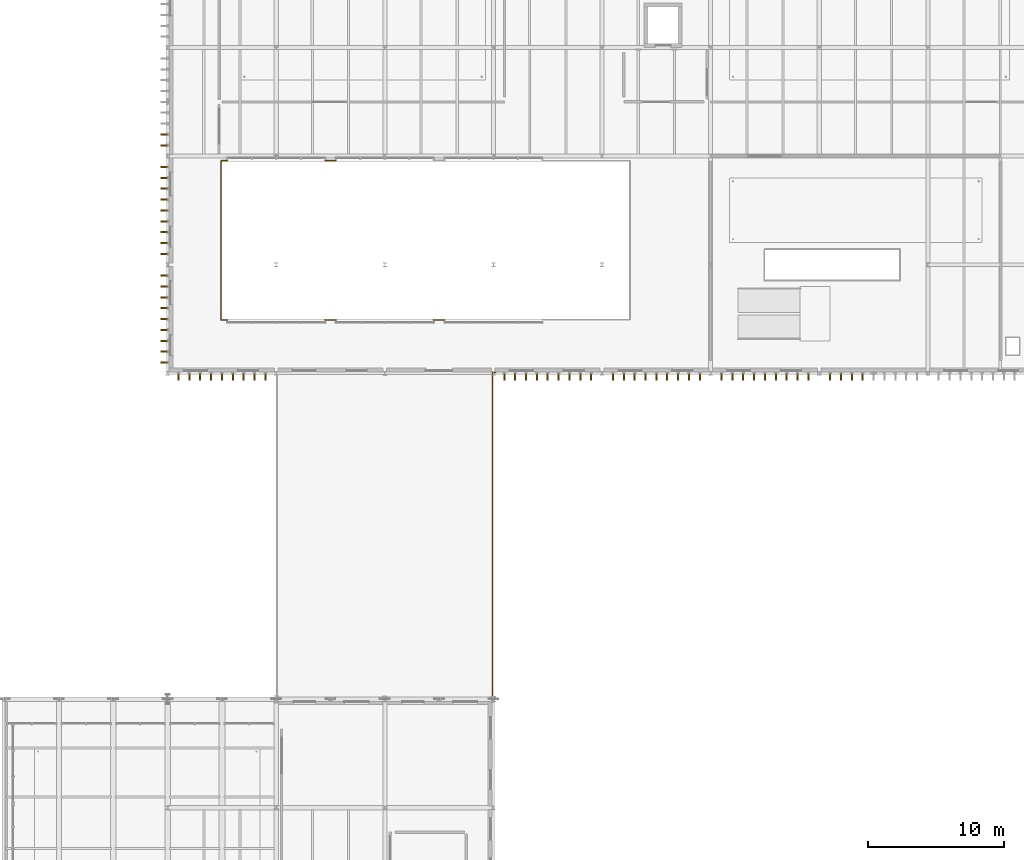
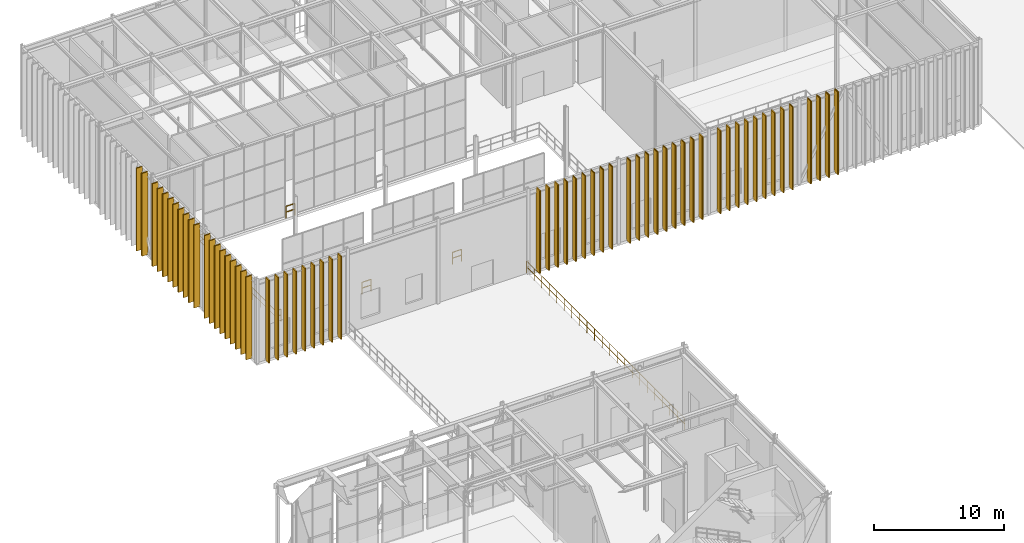
# One storey, part 130 of 138: 60 coverings, 60 shading devices, 6 railings.
"""IFC4 building model written with IfcOpenShell, lengths in metres."""

from ifc_helpers import new_model, si_unit, direction, frame, origin, origin_2d, place, context, subcontext, project, spatial, rectangle, circle, extrude, material, layer, layer_set, type_object, element, save


model = new_model("IFC4")

# Units and contexts
model_context = context("Model", 3, precision=1e-05, world=origin(), true_north=direction((0.0, 1.0)))
body_context = subcontext(model_context, "Body", "Model", "MODEL_VIEW")
ifc_project = project(units=[si_unit("LENGTHUNIT", "METRE"), si_unit("AREAUNIT", "SQUARE_METRE"), si_unit("VOLUMEUNIT", "CUBIC_METRE"), si_unit("PLANEANGLEUNIT", "RADIAN"), si_unit("MASSUNIT", "GRAM", prefix="KILO")], contexts=[model_context])

# Site, building, storey
site_placement = place(None, origin())
site = spatial("IfcSite", under=ifc_project, at=site_placement, CompositionType="ELEMENT")
building_placement = place(site_placement, origin())
building = spatial("IfcBuilding", under=site, at=building_placement, Name="Sundkrona Museum", CompositionType="ELEMENT")
storey_placement = place(building_placement, frame((0.0, 0.0, 9.60009765625)))
storey = spatial("IfcBuildingStorey", under=building, at=storey_placement, Name="L02", CompositionType="ELEMENT", Elevation=9.60009765625)

# Coverings
ifc_material_1 = material(Name="Frost-Resistant Vitrified Stoneware Mosaic Cladding", Category="masonry")
ifc_layer_1 = layer(ifc_material_1, 0.044921875)
ifc_layer_set_1 = layer_set([ifc_layer_1], Name="Frost-Resistant Vitrified Stoneware Mosaic Cladding")
covering_type = type_object("IfcCoveringType", Name="COV-CLD-MOS", PredefinedType="CLADDING", material=ifc_layer_set_1)
for number, where, z_axis, x_axis, name in (
    (1, (16.800048828125, 77.7451171875, 0.0), (0.0, 0.0, 1.0), (1.0, 0.0, 0.0), "L02 Vitrified Ceramic Brise-Soleil Casing S-055"),
    (2, (17.60009765625, 77.7451171875, 0.0), (0.0, 0.0, 1.0), (1.0, 0.0, 0.0), "L02 Vitrified Ceramic Brise-Soleil Casing S-056"),
    (3, (18.39990234375, 77.7451171875, 0.0), (0.0, 0.0, 1.0), (1.0, 0.0, 0.0), "L02 Vitrified Ceramic Brise-Soleil Casing S-057"),
    (4, (19.199951171875, 77.7451171875, 0.0), (0.0, 0.0, 1.0), (1.0, 0.0, 0.0), "L02 Vitrified Ceramic Brise-Soleil Casing S-058"),
    (5, (20.0, 77.7451171875, 0.0), (0.0, 0.0, 1.0), (1.0, 0.0, 0.0), "L02 Vitrified Ceramic Brise-Soleil Casing S-059"),
    (6, (20.800048828125, 77.7451171875, 0.0), (0.0, 0.0, 1.0), (1.0, 0.0, 0.0), "L02 Vitrified Ceramic Brise-Soleil Casing S-060"),
    (7, (21.60009765625, 77.7451171875, 0.0), (0.0, 0.0, 1.0), (1.0, 0.0, 0.0), "L02 Vitrified Ceramic Brise-Soleil Casing S-061"),
    (8, (22.39990234375, 77.7451171875, 0.0), (0.0, 0.0, 1.0), (1.0, 0.0, 0.0), "L02 Vitrified Ceramic Brise-Soleil Casing S-062"),
    (9, (23.199951171875, 77.7451171875, 0.0), (0.0, 0.0, 1.0), (1.0, 0.0, 0.0), "L02 Vitrified Ceramic Brise-Soleil Casing S-063"),
    (10, (40.800048828125, 77.7451171875, 0.0), (0.0, 0.0, 1.0), (1.0, 0.0, 0.0), "L02 Vitrified Ceramic Brise-Soleil Casing S-064"),
    (11, (41.60009765625, 77.7451171875, 0.0), (0.0, 0.0, 1.0), (1.0, 0.0, 0.0), "L02 Vitrified Ceramic Brise-Soleil Casing S-065"),
    (12, (42.39990234375, 77.7451171875, 0.0), (0.0, 0.0, 1.0), (1.0, 0.0, 0.0), "L02 Vitrified Ceramic Brise-Soleil Casing S-066"),
    (13, (43.199951171875, 77.7451171875, 0.0), (0.0, 0.0, 1.0), (1.0, 0.0, 0.0), "L02 Vitrified Ceramic Brise-Soleil Casing S-067"),
    (14, (44.0, 77.7451171875, 0.0), (0.0, 0.0, 1.0), (1.0, 0.0, 0.0), "L02 Vitrified Ceramic Brise-Soleil Casing S-068"),
    (15, (44.800048828125, 77.7451171875, 0.0), (0.0, 0.0, 1.0), (1.0, 0.0, 0.0), "L02 Vitrified Ceramic Brise-Soleil Casing S-069"),
    (16, (45.60009765625, 77.7451171875, 0.0), (0.0, 0.0, 1.0), (1.0, 0.0, 0.0), "L02 Vitrified Ceramic Brise-Soleil Casing S-070"),
    (17, (46.39990234375, 77.7451171875, 0.0), (0.0, 0.0, 1.0), (1.0, 0.0, 0.0), "L02 Vitrified Ceramic Brise-Soleil Casing S-071"),
    (18, (47.199951171875, 77.7451171875, 0.0), (0.0, 0.0, 1.0), (1.0, 0.0, 0.0), "L02 Vitrified Ceramic Brise-Soleil Casing S-072"),
    (19, (48.800048828125, 77.7451171875, 0.0), (0.0, 0.0, 1.0), (1.0, 0.0, 0.0), "L02 Vitrified Ceramic Brise-Soleil Casing S-073"),
    (20, (49.60009765625, 77.7451171875, 0.0), (0.0, 0.0, 1.0), (1.0, 0.0, 0.0), "L02 Vitrified Ceramic Brise-Soleil Casing S-074"),
    (21, (50.39990234375, 77.7451171875, 0.0), (0.0, 0.0, 1.0), (1.0, 0.0, 0.0), "L02 Vitrified Ceramic Brise-Soleil Casing S-075"),
    (22, (51.199951171875, 77.7451171875, 0.0), (0.0, 0.0, 1.0), (1.0, 0.0, 0.0), "L02 Vitrified Ceramic Brise-Soleil Casing S-076"),
    (23, (52.0, 77.7451171875, 0.0), (0.0, 0.0, 1.0), (1.0, 0.0, 0.0), "L02 Vitrified Ceramic Brise-Soleil Casing S-077"),
    (24, (52.800048828125, 77.7451171875, 0.0), (0.0, 0.0, 1.0), (1.0, 0.0, 0.0), "L02 Vitrified Ceramic Brise-Soleil Casing S-078"),
    (25, (53.60009765625, 77.7451171875, 0.0), (0.0, 0.0, 1.0), (1.0, 0.0, 0.0), "L02 Vitrified Ceramic Brise-Soleil Casing S-079"),
    (26, (54.39990234375, 77.7451171875, 0.0), (0.0, 0.0, 1.0), (1.0, 0.0, 0.0), "L02 Vitrified Ceramic Brise-Soleil Casing S-080"),
    (27, (55.199951171875, 77.7451171875, 0.0), (0.0, 0.0, 1.0), (1.0, 0.0, 0.0), "L02 Vitrified Ceramic Brise-Soleil Casing S-081"),
    (28, (56.800048828125, 77.7451171875, 0.0), (0.0, 0.0, 1.0), (1.0, 0.0, 0.0), "L02 Vitrified Ceramic Brise-Soleil Casing S-082"),
    (29, (57.60009765625, 77.7451171875, 0.0), (0.0, 0.0, 1.0), (1.0, 0.0, 0.0), "L02 Vitrified Ceramic Brise-Soleil Casing S-083"),
    (30, (58.39990234375, 77.7451171875, 0.0), (0.0, 0.0, 1.0), (1.0, 0.0, 0.0), "L02 Vitrified Ceramic Brise-Soleil Casing S-084"),
    (31, (59.199951171875, 77.7451171875, 0.0), (0.0, 0.0, 1.0), (1.0, 0.0, 0.0), "L02 Vitrified Ceramic Brise-Soleil Casing S-085"),
    (32, (60.0, 77.7451171875, 0.0), (0.0, 0.0, 1.0), (1.0, 0.0, 0.0), "L02 Vitrified Ceramic Brise-Soleil Casing S-086"),
    (33, (60.800048828125, 77.7451171875, 0.0), (0.0, 0.0, 1.0), (1.0, 0.0, 0.0), "L02 Vitrified Ceramic Brise-Soleil Casing S-087"),
    (34, (61.60009765625, 77.7451171875, 0.0), (0.0, 0.0, 1.0), (1.0, 0.0, 0.0), "L02 Vitrified Ceramic Brise-Soleil Casing S-088"),
    (35, (62.39990234375, 77.7451171875, 0.0), (0.0, 0.0, 1.0), (1.0, 0.0, 0.0), "L02 Vitrified Ceramic Brise-Soleil Casing S-089"),
    (36, (63.199951171875, 77.7451171875, 0.0), (0.0, 0.0, 1.0), (1.0, 0.0, 0.0), "L02 Vitrified Ceramic Brise-Soleil Casing S-090"),
    (37, (64.800048828125, 77.7451171875, 0.0), (0.0, 0.0, 1.0), (1.0, 0.0, 0.0), "L02 Vitrified Ceramic Brise-Soleil Casing S-091"),
    (38, (65.60009765625, 77.7451171875, 0.0), (0.0, 0.0, 1.0), (1.0, 0.0, 0.0), "L02 Vitrified Ceramic Brise-Soleil Casing S-092"),
    (39, (66.39990234375, 77.7451171875, 0.0), (0.0, 0.0, 1.0), (1.0, 0.0, 0.0), "L02 Vitrified Ceramic Brise-Soleil Casing S-093"),
    (40, (67.199951171875, 77.7451171875, 0.0), (0.0, 0.0, 1.0), (1.0, 0.0, 0.0), "L02 Vitrified Ceramic Brise-Soleil Casing S-094"),
):
    element("IfcCovering", number, at=place(storey_placement, frame(where, z_axis=z_axis, x_axis=x_axis)), inside=storey, type_object=covering_type, Name=name, PredefinedType="CLADDING", context=body_context, shape_type="SweptSolid", body=[
        extrude(rectangle(XDim=0.110107421875, YDim=0.530029296875, at=origin_2d()), origin(), (0.0, 0.0, 1.0), 7.760009765625),
    ])
for number, where, z_axis, x_axis, name in (
    (41, (15.7451171875, 78.800048828125, 0.0), (0.0, 0.0, 1.0), (1.0, 0.0, 0.0), "L02 Vitrified Ceramic Brise-Soleil Casing W-177"),
    (42, (15.7451171875, 79.60009765625, 0.0), (0.0, 0.0, 1.0), (1.0, 0.0, 0.0), "L02 Vitrified Ceramic Brise-Soleil Casing W-178"),
    (43, (15.7451171875, 80.39990234375, 0.0), (0.0, 0.0, 1.0), (1.0, 0.0, 0.0), "L02 Vitrified Ceramic Brise-Soleil Casing W-179"),
    (44, (15.7451171875, 81.199951171875, 0.0), (0.0, 0.0, 1.0), (1.0, 0.0, 0.0), "L02 Vitrified Ceramic Brise-Soleil Casing W-180"),
    (45, (15.7451171875, 82.0, 0.0), (0.0, 0.0, 1.0), (1.0, 0.0, 0.0), "L02 Vitrified Ceramic Brise-Soleil Casing W-181"),
    (46, (15.7451171875, 82.800048828125, 0.0), (0.0, 0.0, 1.0), (1.0, 0.0, 0.0), "L02 Vitrified Ceramic Brise-Soleil Casing W-182"),
    (47, (15.7451171875, 83.60009765625, 0.0), (0.0, 0.0, 1.0), (1.0, 0.0, 0.0), "L02 Vitrified Ceramic Brise-Soleil Casing W-183"),
    (48, (15.7451171875, 84.39990234375, 0.0), (0.0, 0.0, 1.0), (1.0, 0.0, 0.0), "L02 Vitrified Ceramic Brise-Soleil Casing W-184"),
    (49, (15.7451171875, 85.199951171875, 0.0), (0.0, 0.0, 1.0), (1.0, 0.0, 0.0), "L02 Vitrified Ceramic Brise-Soleil Casing W-185"),
    (50, (15.7451171875, 86.800048828125, 0.0), (0.0, 0.0, 1.0), (1.0, 0.0, 0.0), "L02 Vitrified Ceramic Brise-Soleil Casing W-186"),
    (51, (15.7451171875, 87.60009765625, 0.0), (0.0, 0.0, 1.0), (1.0, 0.0, 0.0), "L02 Vitrified Ceramic Brise-Soleil Casing W-187"),
    (52, (15.7451171875, 88.39990234375, 0.0), (0.0, 0.0, 1.0), (1.0, 0.0, 0.0), "L02 Vitrified Ceramic Brise-Soleil Casing W-188"),
    (53, (15.7451171875, 89.199951171875, 0.0), (0.0, 0.0, 1.0), (1.0, 0.0, 0.0), "L02 Vitrified Ceramic Brise-Soleil Casing W-189"),
    (54, (15.7451171875, 90.0, 0.0), (0.0, 0.0, 1.0), (1.0, 0.0, 0.0), "L02 Vitrified Ceramic Brise-Soleil Casing W-190"),
    (55, (15.7451171875, 90.800048828125, 0.0), (0.0, 0.0, 1.0), (1.0, 0.0, 0.0), "L02 Vitrified Ceramic Brise-Soleil Casing W-191"),
    (56, (15.7451171875, 91.60009765625, 0.0), (0.0, 0.0, 1.0), (1.0, 0.0, 0.0), "L02 Vitrified Ceramic Brise-Soleil Casing W-192"),
    (57, (15.7451171875, 92.39990234375, 0.0), (0.0, 0.0, 1.0), (1.0, 0.0, 0.0), "L02 Vitrified Ceramic Brise-Soleil Casing W-193"),
    (58, (15.7451171875, 93.199951171875, 0.0), (0.0, 0.0, 1.0), (1.0, 0.0, 0.0), "L02 Vitrified Ceramic Brise-Soleil Casing W-194"),
    (59, (15.7451171875, 94.800048828125, 0.0), (0.0, 0.0, 1.0), (1.0, 0.0, 0.0), "L02 Vitrified Ceramic Brise-Soleil Casing W-195"),
    (60, (15.7451171875, 95.60009765625, 0.0), (0.0, 0.0, 1.0), (1.0, 0.0, 0.0), "L02 Vitrified Ceramic Brise-Soleil Casing W-196"),
):
    element("IfcCovering", number, at=place(storey_placement, frame(where, z_axis=z_axis, x_axis=x_axis)), inside=storey, type_object=covering_type, Name=name, PredefinedType="CLADDING", context=body_context, shape_type="SweptSolid", body=[
        extrude(rectangle(XDim=0.530029296875, YDim=0.110107421875, at=origin_2d()), origin(), (0.0, 0.0, 1.0), 7.760009765625),
    ])

# Shading devices
ifc_material_2 = material(Name="Vitrified Stoneware Ceramic on Galvanised Steel Core", Category="masonry")
ifc_layer_2 = layer(ifc_material_2, 0.080078125)
ifc_layer_set_2 = layer_set([ifc_layer_2], Name="Vitrified Stoneware Ceramic on Galvanised Steel Core")
shading_device_type = type_object("IfcShadingDeviceType", Name="FIN-CER-520", PredefinedType="USERDEFINED", material=ifc_layer_set_2)
for number, where, z_axis, x_axis, name in (
    (61, (16.800048828125, 77.739990234375, 0.0), (0.0, 0.0, 1.0), (1.0, 0.0, 0.0), "L02 Ceramic Brise-Soleil Fin S-055"),
    (62, (17.60009765625, 77.739990234375, 0.0), (0.0, 0.0, 1.0), (1.0, 0.0, 0.0), "L02 Ceramic Brise-Soleil Fin S-056"),
    (63, (18.39990234375, 77.739990234375, 0.0), (0.0, 0.0, 1.0), (1.0, 0.0, 0.0), "L02 Ceramic Brise-Soleil Fin S-057"),
    (64, (19.199951171875, 77.739990234375, 0.0), (0.0, 0.0, 1.0), (1.0, 0.0, 0.0), "L02 Ceramic Brise-Soleil Fin S-058"),
    (65, (20.0, 77.739990234375, 0.0), (0.0, 0.0, 1.0), (1.0, 0.0, 0.0), "L02 Ceramic Brise-Soleil Fin S-059"),
    (66, (20.800048828125, 77.739990234375, 0.0), (0.0, 0.0, 1.0), (1.0, 0.0, 0.0), "L02 Ceramic Brise-Soleil Fin S-060"),
    (67, (21.60009765625, 77.739990234375, 0.0), (0.0, 0.0, 1.0), (1.0, 0.0, 0.0), "L02 Ceramic Brise-Soleil Fin S-061"),
    (68, (22.39990234375, 77.739990234375, 0.0), (0.0, 0.0, 1.0), (1.0, 0.0, 0.0), "L02 Ceramic Brise-Soleil Fin S-062"),
    (69, (23.199951171875, 77.739990234375, 0.0), (0.0, 0.0, 1.0), (1.0, 0.0, 0.0), "L02 Ceramic Brise-Soleil Fin S-063"),
    (70, (40.800048828125, 77.739990234375, 0.0), (0.0, 0.0, 1.0), (1.0, 0.0, 0.0), "L02 Ceramic Brise-Soleil Fin S-064"),
    (71, (41.60009765625, 77.739990234375, 0.0), (0.0, 0.0, 1.0), (1.0, 0.0, 0.0), "L02 Ceramic Brise-Soleil Fin S-065"),
    (72, (42.39990234375, 77.739990234375, 0.0), (0.0, 0.0, 1.0), (1.0, 0.0, 0.0), "L02 Ceramic Brise-Soleil Fin S-066"),
    (73, (43.199951171875, 77.739990234375, 0.0), (0.0, 0.0, 1.0), (1.0, 0.0, 0.0), "L02 Ceramic Brise-Soleil Fin S-067"),
    (74, (44.0, 77.739990234375, 0.0), (0.0, 0.0, 1.0), (1.0, 0.0, 0.0), "L02 Ceramic Brise-Soleil Fin S-068"),
    (75, (44.800048828125, 77.739990234375, 0.0), (0.0, 0.0, 1.0), (1.0, 0.0, 0.0), "L02 Ceramic Brise-Soleil Fin S-069"),
    (76, (45.60009765625, 77.739990234375, 0.0), (0.0, 0.0, 1.0), (1.0, 0.0, 0.0), "L02 Ceramic Brise-Soleil Fin S-070"),
    (77, (46.39990234375, 77.739990234375, 0.0), (0.0, 0.0, 1.0), (1.0, 0.0, 0.0), "L02 Ceramic Brise-Soleil Fin S-071"),
    (78, (47.199951171875, 77.739990234375, 0.0), (0.0, 0.0, 1.0), (1.0, 0.0, 0.0), "L02 Ceramic Brise-Soleil Fin S-072"),
    (79, (48.800048828125, 77.739990234375, 0.0), (0.0, 0.0, 1.0), (1.0, 0.0, 0.0), "L02 Ceramic Brise-Soleil Fin S-073"),
    (80, (49.60009765625, 77.739990234375, 0.0), (0.0, 0.0, 1.0), (1.0, 0.0, 0.0), "L02 Ceramic Brise-Soleil Fin S-074"),
    (81, (50.39990234375, 77.739990234375, 0.0), (0.0, 0.0, 1.0), (1.0, 0.0, 0.0), "L02 Ceramic Brise-Soleil Fin S-075"),
    (82, (51.199951171875, 77.739990234375, 0.0), (0.0, 0.0, 1.0), (1.0, 0.0, 0.0), "L02 Ceramic Brise-Soleil Fin S-076"),
    (83, (52.0, 77.739990234375, 0.0), (0.0, 0.0, 1.0), (1.0, 0.0, 0.0), "L02 Ceramic Brise-Soleil Fin S-077"),
    (84, (52.800048828125, 77.739990234375, 0.0), (0.0, 0.0, 1.0), (1.0, 0.0, 0.0), "L02 Ceramic Brise-Soleil Fin S-078"),
    (85, (53.60009765625, 77.739990234375, 0.0), (0.0, 0.0, 1.0), (1.0, 0.0, 0.0), "L02 Ceramic Brise-Soleil Fin S-079"),
    (86, (54.39990234375, 77.739990234375, 0.0), (0.0, 0.0, 1.0), (1.0, 0.0, 0.0), "L02 Ceramic Brise-Soleil Fin S-080"),
    (87, (55.199951171875, 77.739990234375, 0.0), (0.0, 0.0, 1.0), (1.0, 0.0, 0.0), "L02 Ceramic Brise-Soleil Fin S-081"),
    (88, (56.800048828125, 77.739990234375, 0.0), (0.0, 0.0, 1.0), (1.0, 0.0, 0.0), "L02 Ceramic Brise-Soleil Fin S-082"),
    (89, (57.60009765625, 77.739990234375, 0.0), (0.0, 0.0, 1.0), (1.0, 0.0, 0.0), "L02 Ceramic Brise-Soleil Fin S-083"),
    (90, (58.39990234375, 77.739990234375, 0.0), (0.0, 0.0, 1.0), (1.0, 0.0, 0.0), "L02 Ceramic Brise-Soleil Fin S-084"),
    (91, (59.199951171875, 77.739990234375, 0.0), (0.0, 0.0, 1.0), (1.0, 0.0, 0.0), "L02 Ceramic Brise-Soleil Fin S-085"),
    (92, (60.0, 77.739990234375, 0.0), (0.0, 0.0, 1.0), (1.0, 0.0, 0.0), "L02 Ceramic Brise-Soleil Fin S-086"),
    (93, (60.800048828125, 77.739990234375, 0.0), (0.0, 0.0, 1.0), (1.0, 0.0, 0.0), "L02 Ceramic Brise-Soleil Fin S-087"),
    (94, (61.60009765625, 77.739990234375, 0.0), (0.0, 0.0, 1.0), (1.0, 0.0, 0.0), "L02 Ceramic Brise-Soleil Fin S-088"),
    (95, (62.39990234375, 77.739990234375, 0.0), (0.0, 0.0, 1.0), (1.0, 0.0, 0.0), "L02 Ceramic Brise-Soleil Fin S-089"),
    (96, (63.199951171875, 77.739990234375, 0.0), (0.0, 0.0, 1.0), (1.0, 0.0, 0.0), "L02 Ceramic Brise-Soleil Fin S-090"),
    (97, (64.800048828125, 77.739990234375, 0.0), (0.0, 0.0, 1.0), (1.0, 0.0, 0.0), "L02 Ceramic Brise-Soleil Fin S-091"),
    (98, (65.60009765625, 77.739990234375, 0.0), (0.0, 0.0, 1.0), (1.0, 0.0, 0.0), "L02 Ceramic Brise-Soleil Fin S-092"),
    (99, (66.39990234375, 77.739990234375, 0.0), (0.0, 0.0, 1.0), (1.0, 0.0, 0.0), "L02 Ceramic Brise-Soleil Fin S-093"),
    (100, (67.199951171875, 77.739990234375, 0.0), (0.0, 0.0, 1.0), (1.0, 0.0, 0.0), "L02 Ceramic Brise-Soleil Fin S-094"),
):
    element("IfcShadingDevice", number, at=place(storey_placement, frame(where, z_axis=z_axis, x_axis=x_axis)), inside=storey, type_object=shading_device_type, Name=name, ObjectType="SOLAR FIN", PredefinedType="USERDEFINED", context=body_context, shape_type="SweptSolid", body=[
        extrude(rectangle(XDim=0.080078125, YDim=0.52001953125, at=origin_2d()), origin(), (0.0, 0.0, 1.0), 7.760009765625),
    ])
for number, where, z_axis, x_axis, name in (
    (101, (15.739990234375, 78.800048828125, 0.0), (0.0, 0.0, 1.0), (1.0, 0.0, 0.0), "L02 Ceramic Brise-Soleil Fin W-177"),
    (102, (15.739990234375, 79.60009765625, 0.0), (0.0, 0.0, 1.0), (1.0, 0.0, 0.0), "L02 Ceramic Brise-Soleil Fin W-178"),
    (103, (15.739990234375, 80.39990234375, 0.0), (0.0, 0.0, 1.0), (1.0, 0.0, 0.0), "L02 Ceramic Brise-Soleil Fin W-179"),
    (104, (15.739990234375, 81.199951171875, 0.0), (0.0, 0.0, 1.0), (1.0, 0.0, 0.0), "L02 Ceramic Brise-Soleil Fin W-180"),
    (105, (15.739990234375, 82.0, 0.0), (0.0, 0.0, 1.0), (1.0, 0.0, 0.0), "L02 Ceramic Brise-Soleil Fin W-181"),
    (106, (15.739990234375, 82.800048828125, 0.0), (0.0, 0.0, 1.0), (1.0, 0.0, 0.0), "L02 Ceramic Brise-Soleil Fin W-182"),
    (107, (15.739990234375, 83.60009765625, 0.0), (0.0, 0.0, 1.0), (1.0, 0.0, 0.0), "L02 Ceramic Brise-Soleil Fin W-183"),
    (108, (15.739990234375, 84.39990234375, 0.0), (0.0, 0.0, 1.0), (1.0, 0.0, 0.0), "L02 Ceramic Brise-Soleil Fin W-184"),
    (109, (15.739990234375, 85.199951171875, 0.0), (0.0, 0.0, 1.0), (1.0, 0.0, 0.0), "L02 Ceramic Brise-Soleil Fin W-185"),
    (110, (15.739990234375, 86.800048828125, 0.0), (0.0, 0.0, 1.0), (1.0, 0.0, 0.0), "L02 Ceramic Brise-Soleil Fin W-186"),
    (111, (15.739990234375, 87.60009765625, 0.0), (0.0, 0.0, 1.0), (1.0, 0.0, 0.0), "L02 Ceramic Brise-Soleil Fin W-187"),
    (112, (15.739990234375, 88.39990234375, 0.0), (0.0, 0.0, 1.0), (1.0, 0.0, 0.0), "L02 Ceramic Brise-Soleil Fin W-188"),
    (113, (15.739990234375, 89.199951171875, 0.0), (0.0, 0.0, 1.0), (1.0, 0.0, 0.0), "L02 Ceramic Brise-Soleil Fin W-189"),
    (114, (15.739990234375, 90.0, 0.0), (0.0, 0.0, 1.0), (1.0, 0.0, 0.0), "L02 Ceramic Brise-Soleil Fin W-190"),
    (115, (15.739990234375, 90.800048828125, 0.0), (0.0, 0.0, 1.0), (1.0, 0.0, 0.0), "L02 Ceramic Brise-Soleil Fin W-191"),
    (116, (15.739990234375, 91.60009765625, 0.0), (0.0, 0.0, 1.0), (1.0, 0.0, 0.0), "L02 Ceramic Brise-Soleil Fin W-192"),
    (117, (15.739990234375, 92.39990234375, 0.0), (0.0, 0.0, 1.0), (1.0, 0.0, 0.0), "L02 Ceramic Brise-Soleil Fin W-193"),
    (118, (15.739990234375, 93.199951171875, 0.0), (0.0, 0.0, 1.0), (1.0, 0.0, 0.0), "L02 Ceramic Brise-Soleil Fin W-194"),
    (119, (15.739990234375, 94.800048828125, 0.0), (0.0, 0.0, 1.0), (1.0, 0.0, 0.0), "L02 Ceramic Brise-Soleil Fin W-195"),
    (120, (15.739990234375, 95.60009765625, 0.0), (0.0, 0.0, 1.0), (1.0, 0.0, 0.0), "L02 Ceramic Brise-Soleil Fin W-196"),
):
    element("IfcShadingDevice", number, at=place(storey_placement, frame(where, z_axis=z_axis, x_axis=x_axis)), inside=storey, type_object=shading_device_type, Name=name, ObjectType="SOLAR FIN", PredefinedType="USERDEFINED", context=body_context, shape_type="SweptSolid", body=[
        extrude(rectangle(XDim=0.52001953125, YDim=0.080078125, at=origin_2d()), origin(), (0.0, 0.0, 1.0), 7.760009765625),
    ])

# Railings
ifc_material_3 = material(Name="Painted Steel S355J2 and Laminated Glass Balustrade", Category="steel")
railing_type = type_object("IfcRailingType", Name="RL-GUARD-1100", PredefinedType="BALUSTRADE", material=ifc_material_3)
railing_1_placement = place(storey_placement, frame((19.93994140625, 81.93994140625, 0.0)))
element("IfcRailing", 121, at=railing_1_placement, inside=storey, type_object=railing_type, Name="L02 Edge Protection Balustrade 005", PredefinedType="BALUSTRADE", context=body_context, shape_type="SweptSolid", body=[
    extrude(circle(Radius=0.02392578125, at=origin_2d()), frame((0.0, 0.0, 1.09619140625), z_axis=(1.0, 0.0, 0.0), x_axis=(0.0, 1.0, 0.0)), (0.0, 0.0, 1.0), 0.4599609375),
    extrude(circle(Radius=0.02392578125, at=origin_2d()), frame((0.0, 0.0, 0.56005859375), z_axis=(1.0, 0.0, 0.0), x_axis=(0.0, 1.0, 0.0)), (0.0, 0.0, 1.0), 0.4599609375),
    extrude(circle(Radius=0.02099609375, at=origin_2d()), origin(), (0.0, 0.0, 1.0), 1.072021484375),
    extrude(circle(Radius=0.02099609375, at=origin_2d()), frame((0.4599609375, 0.0, 0.0)), (0.0, 0.0, 1.0), 1.072021484375),
])
railing_2_placement = place(storey_placement, frame((20.39990234375, 93.659912109375, 0.0)))
element("IfcRailing", 122, at=railing_2_placement, inside=storey, type_object=railing_type, Name="L02 Edge Protection Balustrade 006", PredefinedType="BALUSTRADE", context=body_context, shape_type="SweptSolid", body=[
    extrude(circle(Radius=0.02392578125, at=origin_2d()), frame((0.0, 0.0, 1.09619140625), z_axis=(-1.0, 0.0, 0.0), x_axis=(0.0, -1.0, 0.0)), (0.0, 0.0, 1.0), 0.4599609375),
    extrude(circle(Radius=0.02392578125, at=origin_2d()), frame((0.0, 0.0, 0.56005859375), z_axis=(-1.0, 0.0, 0.0), x_axis=(0.0, -1.0, 0.0)), (0.0, 0.0, 1.0), 0.4599609375),
    extrude(circle(Radius=0.02392578125, at=origin_2d()), frame((-0.4599609375, 0.0, 1.09619140625), z_axis=(0.0, -1.0, 0.0), x_axis=(1.0, 0.0, 0.0)), (0.0, 0.0, 1.0), 11.719970703125),
    extrude(circle(Radius=0.02392578125, at=origin_2d()), frame((-0.4599609375, 0.0, 0.56005859375), z_axis=(0.0, -1.0, 0.0), x_axis=(1.0, 0.0, 0.0)), (0.0, 0.0, 1.0), 11.719970703125),
    extrude(circle(Radius=0.02099609375, at=origin_2d()), origin(), (0.0, 0.0, 1.0), 1.072021484375),
    extrude(circle(Radius=0.02099609375, at=origin_2d()), frame((-0.4599609375, 0.0, 0.0)), (0.0, 0.0, 1.0), 1.072021484375),
    extrude(circle(Radius=0.02099609375, at=origin_2d()), frame((-0.4599609375, -1.171875, 0.0)), (0.0, 0.0, 1.0), 1.072021484375),
    extrude(circle(Radius=0.02099609375, at=origin_2d()), frame((-0.4599609375, -2.343994140625, 0.0)), (0.0, 0.0, 1.0), 1.072021484375),
    extrude(circle(Radius=0.02099609375, at=origin_2d()), frame((-0.4599609375, -3.51611328125, 0.0)), (0.0, 0.0, 1.0), 1.072021484375),
    extrude(circle(Radius=0.02099609375, at=origin_2d()), frame((-0.4599609375, -4.68798828125, 0.0)), (0.0, 0.0, 1.0), 1.072021484375),
    extrude(circle(Radius=0.02099609375, at=origin_2d()), frame((-0.4599609375, -5.85986328125, 0.0)), (0.0, 0.0, 1.0), 1.072021484375),
    extrude(circle(Radius=0.02099609375, at=origin_2d()), frame((-0.4599609375, -7.031982421875, 0.0)), (0.0, 0.0, 1.0), 1.072021484375),
    extrude(circle(Radius=0.02099609375, at=origin_2d()), frame((-0.4599609375, -8.2041015625, 0.0)), (0.0, 0.0, 1.0), 1.072021484375),
    extrude(circle(Radius=0.02099609375, at=origin_2d()), frame((-0.4599609375, -9.3759765625, 0.0)), (0.0, 0.0, 1.0), 1.072021484375),
    extrude(circle(Radius=0.02099609375, at=origin_2d()), frame((-0.4599609375, -10.5478515625, 0.0)), (0.0, 0.0, 1.0), 1.072021484375),
    extrude(circle(Radius=0.02099609375, at=origin_2d()), frame((-0.4599609375, -11.719970703125, 0.0)), (0.0, 0.0, 1.0), 1.072021484375),
])
railing_3_placement = place(storey_placement, frame((27.60009765625, 81.93994140625, 0.0)))
element("IfcRailing", 123, at=railing_3_placement, inside=storey, type_object=railing_type, Name="L02 Edge Protection Balustrade 007", PredefinedType="BALUSTRADE", context=body_context, shape_type="SweptSolid", body=[
    extrude(circle(Radius=0.02392578125, at=origin_2d()), frame((0.0, 0.0, 1.09619140625), z_axis=(1.0, 0.0, 0.0), x_axis=(0.0, 1.0, 0.0)), (0.0, 0.0, 1.0), 0.7998046875),
    extrude(circle(Radius=0.02392578125, at=origin_2d()), frame((0.0, 0.0, 0.56005859375), z_axis=(1.0, 0.0, 0.0), x_axis=(0.0, 1.0, 0.0)), (0.0, 0.0, 1.0), 0.7998046875),
    extrude(circle(Radius=0.02099609375, at=origin_2d()), origin(), (0.0, 0.0, 1.0), 1.072021484375),
    extrude(circle(Radius=0.02099609375, at=origin_2d()), frame((0.7998046875, 0.0, 0.0)), (0.0, 0.0, 1.0), 1.072021484375),
])
railing_4_placement = place(storey_placement, frame((28.39990234375, 93.659912109375, 0.0)))
element("IfcRailing", 124, at=railing_4_placement, inside=storey, type_object=railing_type, Name="L02 Edge Protection Balustrade 008", PredefinedType="BALUSTRADE", context=body_context, shape_type="SweptSolid", body=[
    extrude(circle(Radius=0.02392578125, at=origin_2d()), frame((0.0, 0.0, 1.09619140625), z_axis=(-1.0, 0.0, 0.0), x_axis=(0.0, -1.0, 0.0)), (0.0, 0.0, 1.0), 0.7998046875),
    extrude(circle(Radius=0.02392578125, at=origin_2d()), frame((0.0, 0.0, 0.56005859375), z_axis=(-1.0, 0.0, 0.0), x_axis=(0.0, -1.0, 0.0)), (0.0, 0.0, 1.0), 0.7998046875),
    extrude(circle(Radius=0.02099609375, at=origin_2d()), origin(), (0.0, 0.0, 1.0), 1.072021484375),
    extrude(circle(Radius=0.02099609375, at=origin_2d()), frame((-0.7998046875, 0.0, 0.0)), (0.0, 0.0, 1.0), 1.072021484375),
])
railing_5_placement = place(storey_placement, frame((35.60009765625, 81.93994140625, 0.0)))
element("IfcRailing", 125, at=railing_5_placement, inside=storey, type_object=railing_type, Name="L02 Edge Protection Balustrade 011", PredefinedType="BALUSTRADE", context=body_context, shape_type="SweptSolid", body=[
    extrude(circle(Radius=0.02392578125, at=origin_2d()), frame((0.0, 0.0, 1.09619140625), z_axis=(1.0, 0.0, 0.0), x_axis=(0.0, 1.0, 0.0)), (0.0, 0.0, 1.0), 0.7998046875),
    extrude(circle(Radius=0.02392578125, at=origin_2d()), frame((0.0, 0.0, 0.56005859375), z_axis=(1.0, 0.0, 0.0), x_axis=(0.0, 1.0, 0.0)), (0.0, 0.0, 1.0), 0.7998046875),
    extrude(circle(Radius=0.02099609375, at=origin_2d()), origin(), (0.0, 0.0, 1.0), 1.072021484375),
    extrude(circle(Radius=0.02099609375, at=origin_2d()), frame((0.7998046875, 0.0, 0.0)), (0.0, 0.0, 1.0), 1.072021484375),
])
railing_6_placement = place(storey_placement, frame((40.132080078125, 78.06005859375, 0.0)))
element("IfcRailing", 126, at=railing_6_placement, inside=storey, type_object=railing_type, Name="L02 Edge Protection Balustrade 014", PredefinedType="BALUSTRADE", context=body_context, shape_type="SweptSolid", body=[
    extrude(circle(Radius=0.02392578125, at=origin_2d()), frame((0.0, 0.0, 1.09619140625), z_axis=(-1.0, 0.0, 0.0), x_axis=(0.0, -1.0, 0.0)), (0.0, 0.0, 1.0), 0.192138671875),
    extrude(circle(Radius=0.02392578125, at=origin_2d()), frame((0.0, 0.0, 0.56005859375), z_axis=(-1.0, 0.0, 0.0), x_axis=(0.0, -1.0, 0.0)), (0.0, 0.0, 1.0), 0.192138671875),
    extrude(circle(Radius=0.02392578125, at=origin_2d()), frame((-0.192138671875, 0.0, 1.09619140625), z_axis=(0.0, -1.0, 0.0), x_axis=(1.0, 0.0, 0.0)), (0.0, 0.0, 1.0), 24.259521484375),
    extrude(circle(Radius=0.02392578125, at=origin_2d()), frame((-0.192138671875, 0.0, 0.56005859375), z_axis=(0.0, -1.0, 0.0), x_axis=(1.0, 0.0, 0.0)), (0.0, 0.0, 1.0), 24.259521484375),
    extrude(circle(Radius=0.02099609375, at=origin_2d()), origin(), (0.0, 0.0, 1.0), 1.072021484375),
    extrude(circle(Radius=0.02099609375, at=origin_2d()), frame((-0.192138671875, 0.0, 0.0)), (0.0, 0.0, 1.0), 1.072021484375),
    extrude(circle(Radius=0.02099609375, at=origin_2d()), frame((-0.192138671875, -1.1552734375, 0.0)), (0.0, 0.0, 1.0), 1.072021484375),
    extrude(circle(Radius=0.02099609375, at=origin_2d()), frame((-0.192138671875, -2.310546875, 0.0)), (0.0, 0.0, 1.0), 1.072021484375),
    extrude(circle(Radius=0.02099609375, at=origin_2d()), frame((-0.192138671875, -3.465576171875, 0.0)), (0.0, 0.0, 1.0), 1.072021484375),
    extrude(circle(Radius=0.02099609375, at=origin_2d()), frame((-0.192138671875, -4.620849609375, 0.0)), (0.0, 0.0, 1.0), 1.072021484375),
    extrude(circle(Radius=0.02099609375, at=origin_2d()), frame((-0.192138671875, -5.776123046875, 0.0)), (0.0, 0.0, 1.0), 1.072021484375),
    extrude(circle(Radius=0.02099609375, at=origin_2d()), frame((-0.192138671875, -6.931396484375, 0.0)), (0.0, 0.0, 1.0), 1.072021484375),
    extrude(circle(Radius=0.02099609375, at=origin_2d()), frame((-0.192138671875, -8.08642578125, 0.0)), (0.0, 0.0, 1.0), 1.072021484375),
    extrude(circle(Radius=0.02099609375, at=origin_2d()), frame((-0.192138671875, -9.24169921875, 0.0)), (0.0, 0.0, 1.0), 1.072021484375),
    extrude(circle(Radius=0.02099609375, at=origin_2d()), frame((-0.192138671875, -10.39697265625, 0.0)), (0.0, 0.0, 1.0), 1.072021484375),
    extrude(circle(Radius=0.02099609375, at=origin_2d()), frame((-0.192138671875, -11.55224609375, 0.0)), (0.0, 0.0, 1.0), 1.072021484375),
    extrude(circle(Radius=0.02099609375, at=origin_2d()), frame((-0.192138671875, -12.707275390625, 0.0)), (0.0, 0.0, 1.0), 1.072021484375),
    extrude(circle(Radius=0.02099609375, at=origin_2d()), frame((-0.192138671875, -13.862548828125, 0.0)), (0.0, 0.0, 1.0), 1.072021484375),
    extrude(circle(Radius=0.02099609375, at=origin_2d()), frame((-0.192138671875, -15.017822265625, 0.0)), (0.0, 0.0, 1.0), 1.072021484375),
    extrude(circle(Radius=0.02099609375, at=origin_2d()), frame((-0.192138671875, -16.173095703125, 0.0)), (0.0, 0.0, 1.0), 1.072021484375),
    extrude(circle(Radius=0.02099609375, at=origin_2d()), frame((-0.192138671875, -17.328125, 0.0)), (0.0, 0.0, 1.0), 1.072021484375),
    extrude(circle(Radius=0.02099609375, at=origin_2d()), frame((-0.192138671875, -18.4833984375, 0.0)), (0.0, 0.0, 1.0), 1.072021484375),
    extrude(circle(Radius=0.02099609375, at=origin_2d()), frame((-0.192138671875, -19.638671875, 0.0)), (0.0, 0.0, 1.0), 1.072021484375),
    extrude(circle(Radius=0.02099609375, at=origin_2d()), frame((-0.192138671875, -20.7939453125, 0.0)), (0.0, 0.0, 1.0), 1.072021484375),
    extrude(circle(Radius=0.02099609375, at=origin_2d()), frame((-0.192138671875, -21.948974609375, 0.0)), (0.0, 0.0, 1.0), 1.072021484375),
    extrude(circle(Radius=0.02099609375, at=origin_2d()), frame((-0.192138671875, -23.104248046875, 0.0)), (0.0, 0.0, 1.0), 1.072021484375),
    extrude(circle(Radius=0.02099609375, at=origin_2d()), frame((-0.192138671875, -24.259521484375, 0.0)), (0.0, 0.0, 1.0), 1.072021484375),
])

save(model, "model.ifc")
